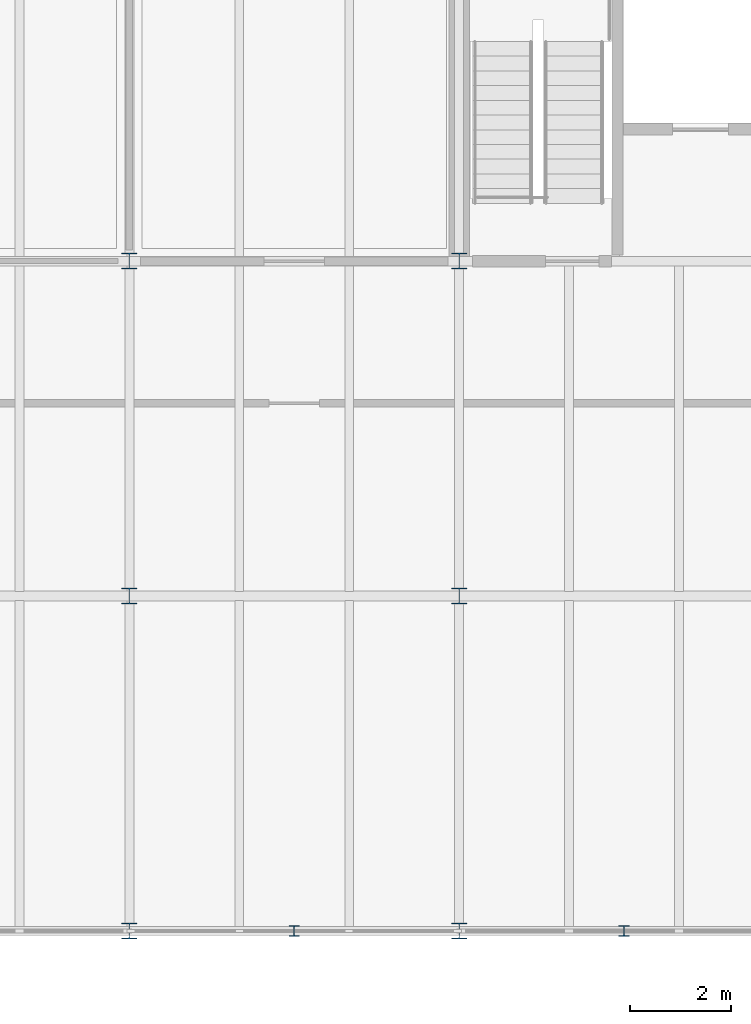
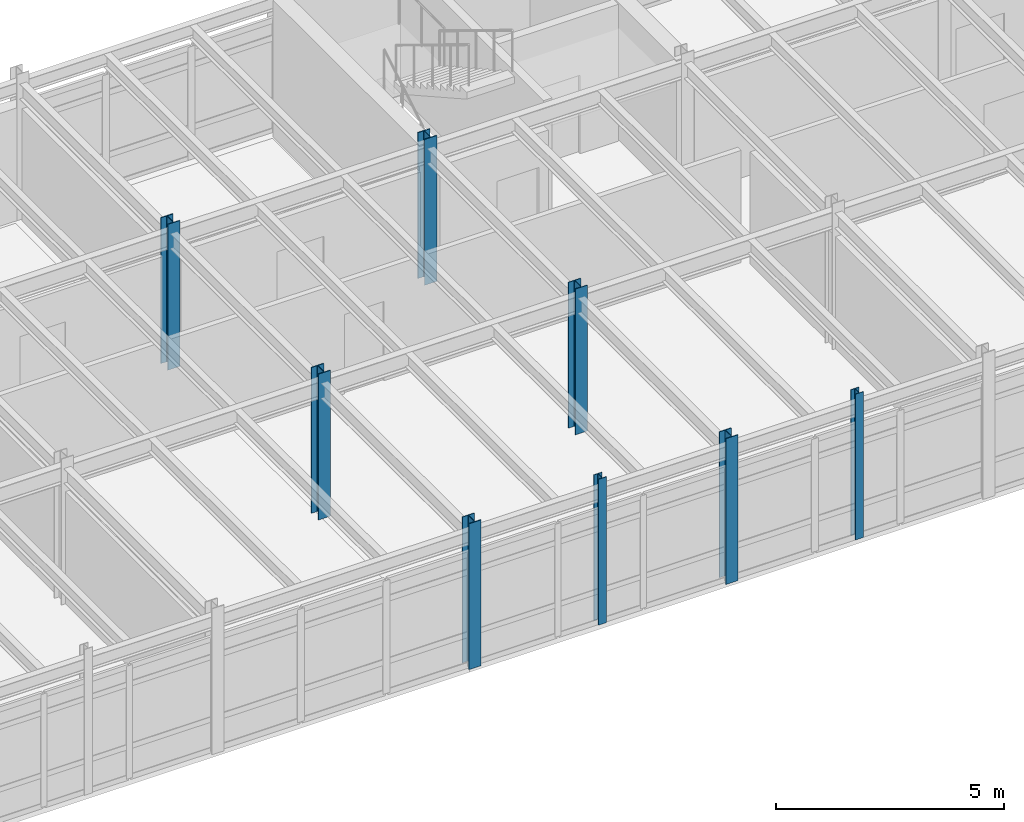
# One storey, part 4 of 57: 8 columns.
"""IFC4 building model written with IfcOpenShell, lengths in metres."""

from ifc_helpers import new_model, si_unit, direction, frame, origin, origin_2d, place, context, subcontext, project, spatial, i_section, extrude, material, material_profile, profile_set, type_object, element, save


model = new_model("IFC4")

# Units and contexts
model_context = context("Model", 3, precision=1e-05, world=origin(), true_north=direction((0.0, 1.0)))
body_context = subcontext(model_context, "Body", "Model", "MODEL_VIEW")
ifc_project = project(units=[si_unit("LENGTHUNIT", "METRE"), si_unit("AREAUNIT", "SQUARE_METRE"), si_unit("VOLUMEUNIT", "CUBIC_METRE"), si_unit("PLANEANGLEUNIT", "RADIAN"), si_unit("MASSUNIT", "GRAM", prefix="KILO")], contexts=[model_context])

# Site, building, storey
site_placement = place(None, origin())
site = spatial("IfcSite", under=ifc_project, at=site_placement, CompositionType="ELEMENT")
building_placement = place(site_placement, origin())
building = spatial("IfcBuilding", under=site, at=building_placement, Name="Trelmorton Wharf Fire Station", CompositionType="ELEMENT")
storey_placement = place(building_placement, frame((0.0, 0.0, 13.5)))
storey = spatial("IfcBuildingStorey", under=building, at=storey_placement, Name="L03", CompositionType="ELEMENT", Elevation=13.5)

# Columns
ifc_material = material(Name="Steel Grade 350", Category="steel")
ifc_material_profile_1 = material_profile(ifc_material, i_section(OverallWidth=0.306884765625, OverallDepth=0.31494140625, WebThickness=0.011962890625, FlangeThickness=0.018798828125, FilletRadius=0.0166015625, at=origin_2d()), Name="310UC118")
ifc_profile_set_1 = profile_set([ifc_material_profile_1], Name="Steel Grade 350")
column_type_1 = type_object("IfcColumnType", Name="COL_310UC118", PredefinedType="COLUMN", material=ifc_profile_set_1)
for number, where, z_axis, x_axis, name in (
    (1, (136.5, 7.800048828125, 0.0), (0.0, 0.0, 1.0), (1.0, 0.0, 0.0), "COL-L03-0656"),
    (2, (136.5, 14.39990234375, 0.0), (0.0, 0.0, 1.0), (1.0, 0.0, 0.0), "COL-L03-0657"),
    (3, (136.5, 21.0, 0.0), (0.0, 0.0, 1.0), (1.0, 0.0, 0.0), "COL-L03-0658"),
    (4, (143.0, 7.800048828125, 0.0), (0.0, 0.0, 1.0), (1.0, 0.0, 0.0), "COL-L03-0664"),
    (5, (143.0, 14.39990234375, 0.0), (0.0, 0.0, 1.0), (1.0, 0.0, 0.0), "COL-L03-0665"),
    (6, (143.0, 21.0, 0.0), (0.0, 0.0, 1.0), (1.0, 0.0, 0.0), "COL-L03-0666"),
):
    element("IfcColumn", number, at=place(storey_placement, frame(where, z_axis=z_axis, x_axis=x_axis)), inside=storey, type_object=column_type_1, Name=name, PredefinedType="COLUMN", context=body_context, shape_type="SweptSolid", body=[
        extrude(i_section(OverallWidth=0.306884765625, OverallDepth=0.31494140625, WebThickness=0.011962890625, FlangeThickness=0.018798828125, FilletRadius=0.0166015625, at=origin_2d()), origin(), (0.0, 0.0, 1.0), 3.89990234375),
    ])
ifc_material_profile_2 = material_profile(ifc_material, i_section(OverallWidth=0.205078125, OverallDepth=0.2099609375, WebThickness=0.00927734375, FlangeThickness=0.01416015625, FilletRadius=0.011474609375, at=origin_2d()), Name="200UC59.5")
ifc_profile_set_2 = profile_set([ifc_material_profile_2], Name="Steel Grade 350")
column_type_2 = type_object("IfcColumnType", Name="PIL_200UC60", PredefinedType="PILASTER", material=ifc_profile_set_2)
for number, where, z_axis, x_axis, name in (
    (7, (139.75, 7.800048828125, 0.0), (0.0, 0.0, 1.0), (1.0, 0.0, 0.0), "PIL-S-L03-023"),
    (8, (146.25, 7.800048828125, 0.0), (0.0, 0.0, 1.0), (1.0, 0.0, 0.0), "PIL-S-L03-031"),
):
    element("IfcColumn", number, at=place(storey_placement, frame(where, z_axis=z_axis, x_axis=x_axis)), inside=storey, type_object=column_type_2, Name=name, PredefinedType="PILASTER", context=body_context, shape_type="SweptSolid", body=[
        extrude(i_section(OverallWidth=0.205078125, OverallDepth=0.2099609375, WebThickness=0.00927734375, FlangeThickness=0.01416015625, FilletRadius=0.011474609375, at=origin_2d()), origin(), (0.0, 0.0, 1.0), 3.89990234375),
    ])

save(model, "model.ifc")
